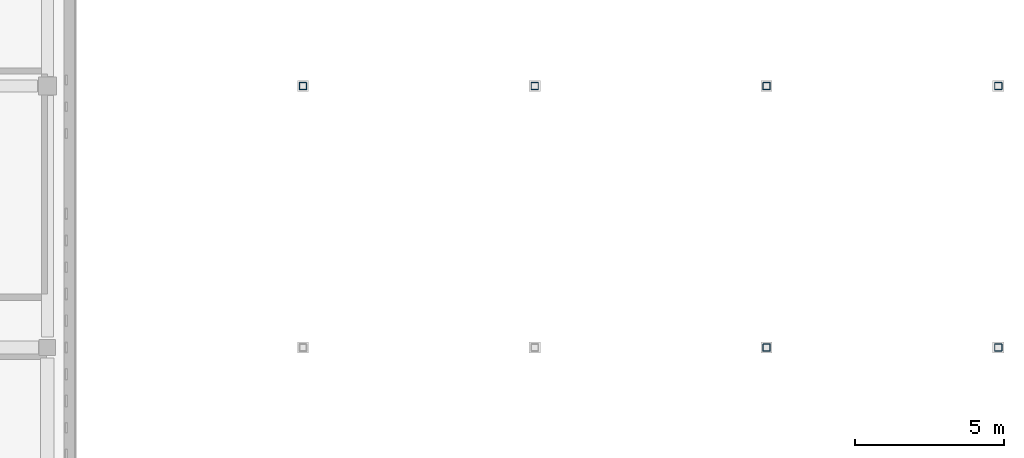
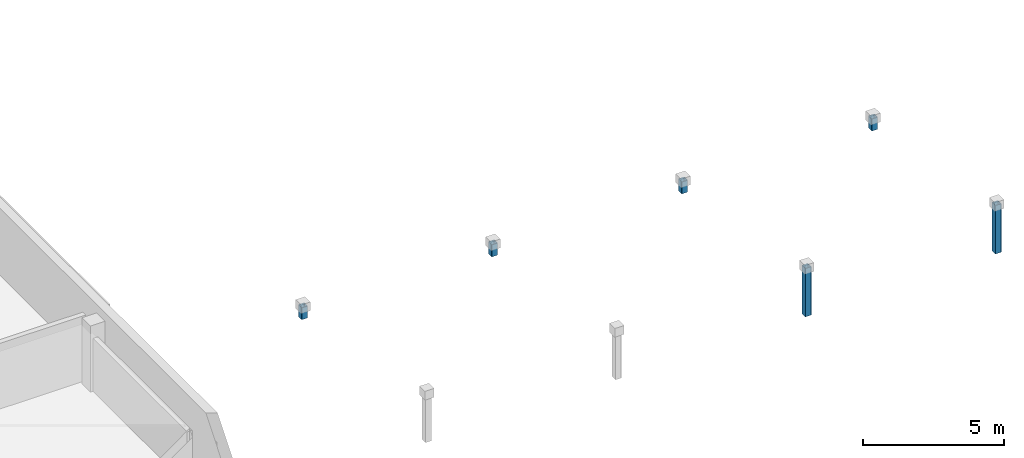
# One storey, part 4 of 17: 6 columns.
"""IFC4 building model written with IfcOpenShell, lengths in metres."""

from ifc_helpers import new_model, si_unit, direction, frame, origin, origin_2d, place, context, subcontext, project, spatial, hollow_rectangle, extrude, material, material_profile, profile_set, type_object, element, save


model = new_model("IFC4")

# Units and contexts
model_context = context("Model", 3, precision=1e-05, world=origin(), true_north=direction((0.0, 1.0)))
body_context = subcontext(model_context, "Body", "Model", "MODEL_VIEW")
ifc_project = project(units=[si_unit("LENGTHUNIT", "METRE"), si_unit("AREAUNIT", "SQUARE_METRE"), si_unit("VOLUMEUNIT", "CUBIC_METRE"), si_unit("PLANEANGLEUNIT", "RADIAN"), si_unit("MASSUNIT", "GRAM", prefix="KILO")], contexts=[model_context])

# Site, building, storey
site_placement = place(None, origin())
site = spatial("IfcSite", under=ifc_project, at=site_placement, CompositionType="ELEMENT")
building_placement = place(site_placement, origin())
building = spatial("IfcBuilding", under=site, at=building_placement, Name="Varnakota Cinema and Media Centre", CompositionType="ELEMENT")
storey_placement = place(building_placement, frame((0.0, 0.0, 22.35009765625)))
storey = spatial("IfcBuildingStorey", under=building, at=storey_placement, Name="L06", CompositionType="ELEMENT", Elevation=22.35009765625)

# Columns
ifc_material = material(Name="Structural steel S355 (YSt 355)", Category="steel")
ifc_material_profile = material_profile(ifc_material, hollow_rectangle(XDim=0.25, YDim=0.25, WallThickness=0.010009765625, InnerFilletRadius=0.010009765625, OuterFilletRadius=0.02001953125, at=origin_2d()), Name="SHS 250x250x10")
ifc_profile_set = profile_set([ifc_material_profile], Name="Structural steel S355 (YSt 355)")
column_type = type_object("IfcColumnType", Name="COL-ST-SHS250", PredefinedType="COLUMN", material=ifc_profile_set)
for number, where, z_axis, x_axis, name in (
    (1, (51.60009765625, 26.39990234375, 0.0), (0.0, 0.0, 1.0), (1.0, 0.0, 0.0), "V3 amphitheatre canopy column 1 Y=26.4"),
    (2, (59.39990234375, 26.39990234375, 0.0), (0.0, 0.0, 1.0), (1.0, 0.0, 0.0), "V3 amphitheatre canopy column 2 Y=26.4"),
):
    element("IfcColumn", number, at=place(storey_placement, frame(where, z_axis=z_axis, x_axis=x_axis)), inside=storey, type_object=column_type, Name=name, PredefinedType="COLUMN", context=body_context, shape_type="SweptSolid", body=[
        extrude(hollow_rectangle(XDim=0.25, YDim=0.25, WallThickness=0.010009765625, InnerFilletRadius=0.010009765625, OuterFilletRadius=0.02001953125, at=origin_2d()), origin(), (0.0, 0.0, 1.0), 0.515869140625),
    ])
column_1_placement = place(storey_placement, frame((67.199951171875, 17.60009765625, 0.0), z_axis=(0.0, 0.0, 1.0), x_axis=(1.0, 0.0, 0.0)))
element("IfcColumn", 3, at=column_1_placement, inside=storey, type_object=column_type, Name="V3 amphitheatre canopy column 3 Y=17.6", PredefinedType="COLUMN", context=body_context, shape_type="SweptSolid", body=[
    extrude(hollow_rectangle(XDim=0.25, YDim=0.25, WallThickness=0.010009765625, InnerFilletRadius=0.010009765625, OuterFilletRadius=0.02001953125, at=origin_2d()), origin(), (0.0, 0.0, 1.0), 2.099853515625),
])
column_2_placement = place(storey_placement, frame((67.199951171875, 26.39990234375, 0.0), z_axis=(0.0, 0.0, 1.0), x_axis=(1.0, 0.0, 0.0)))
element("IfcColumn", 4, at=column_2_placement, inside=storey, type_object=column_type, Name="V3 amphitheatre canopy column 3 Y=26.4", PredefinedType="COLUMN", context=body_context, shape_type="SweptSolid", body=[
    extrude(hollow_rectangle(XDim=0.25, YDim=0.25, WallThickness=0.010009765625, InnerFilletRadius=0.010009765625, OuterFilletRadius=0.02001953125, at=origin_2d()), origin(), (0.0, 0.0, 1.0), 0.515869140625),
])
column_3_placement = place(storey_placement, frame((75.0, 17.60009765625, 0.0), z_axis=(0.0, 0.0, 1.0), x_axis=(1.0, 0.0, 0.0)))
element("IfcColumn", 5, at=column_3_placement, inside=storey, type_object=column_type, Name="V3 amphitheatre canopy column 4 Y=17.6", PredefinedType="COLUMN", context=body_context, shape_type="SweptSolid", body=[
    extrude(hollow_rectangle(XDim=0.25, YDim=0.25, WallThickness=0.010009765625, InnerFilletRadius=0.010009765625, OuterFilletRadius=0.02001953125, at=origin_2d()), origin(), (0.0, 0.0, 1.0), 2.099853515625),
])
column_4_placement = place(storey_placement, frame((75.0, 26.39990234375, 0.0), z_axis=(0.0, 0.0, 1.0), x_axis=(1.0, 0.0, 0.0)))
element("IfcColumn", 6, at=column_4_placement, inside=storey, type_object=column_type, Name="V3 amphitheatre canopy column 4 Y=26.4", PredefinedType="COLUMN", context=body_context, shape_type="SweptSolid", body=[
    extrude(hollow_rectangle(XDim=0.25, YDim=0.25, WallThickness=0.010009765625, InnerFilletRadius=0.010009765625, OuterFilletRadius=0.02001953125, at=origin_2d()), origin(), (0.0, 0.0, 1.0), 0.515869140625),
])

save(model, "model.ifc")
